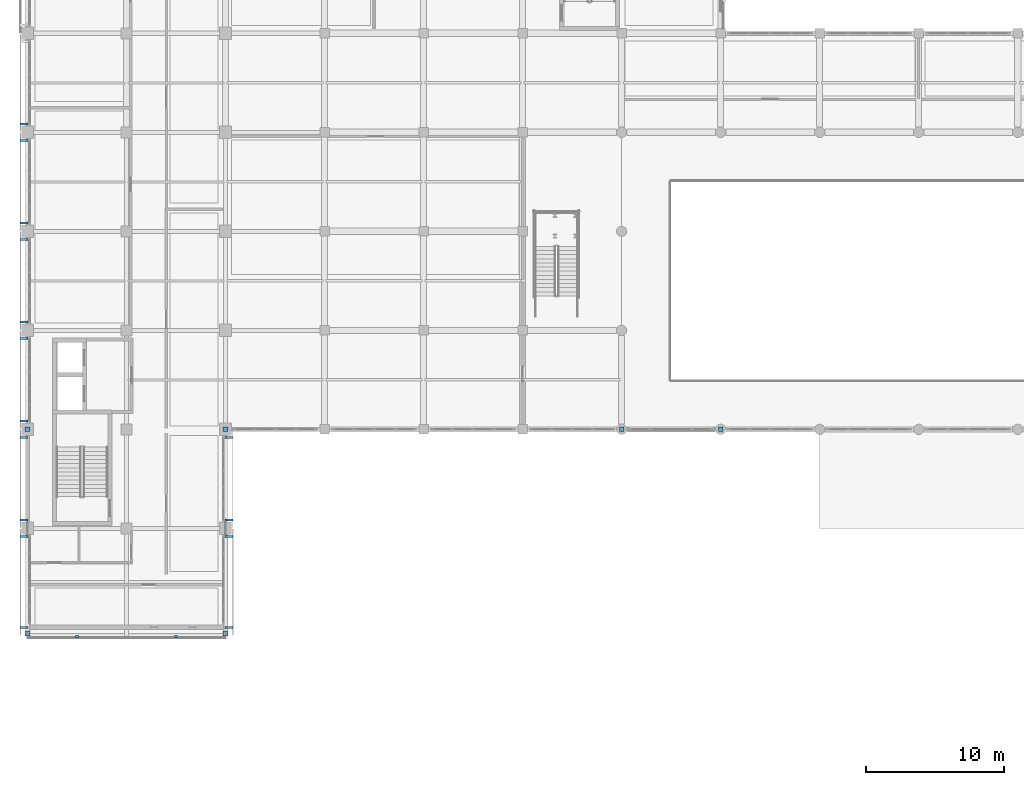
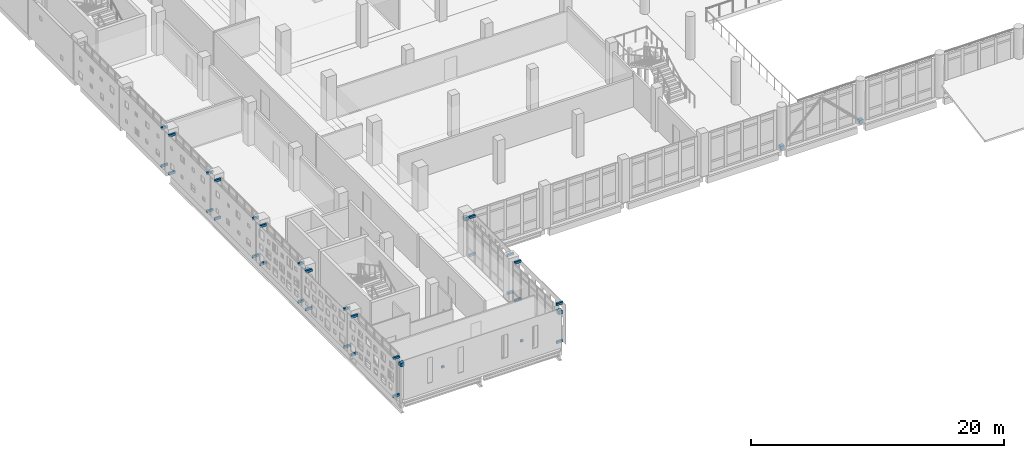
# One storey, part 43 of 57: 38 discrete accessories.
"""IFC4 building model written with IfcOpenShell, lengths in metres."""

from ifc_helpers import new_model, si_unit, direction, frame, origin, origin_2d, place, context, subcontext, project, spatial, rectangle, extrude, material, type_object, element, save


model = new_model("IFC4")

# Units and contexts
model_context = context("Model", 3, precision=1e-05, world=origin(), true_north=direction((0.0, 1.0)))
body_context = subcontext(model_context, "Body", "Model", "MODEL_VIEW")
ifc_project = project(units=[si_unit("LENGTHUNIT", "METRE"), si_unit("AREAUNIT", "SQUARE_METRE"), si_unit("VOLUMEUNIT", "CUBIC_METRE"), si_unit("PLANEANGLEUNIT", "RADIAN"), si_unit("MASSUNIT", "GRAM", prefix="KILO")], contexts=[model_context])

# Site, building, storey
site_placement = place(None, origin())
site = spatial("IfcSite", under=ifc_project, at=site_placement, CompositionType="ELEMENT")
building_placement = place(site_placement, origin())
building = spatial("IfcBuilding", under=site, at=building_placement, Name="Valkovuoma Quantum and Materials Research Institute", CompositionType="ELEMENT")
storey_placement = place(building_placement, frame((0.0, 0.0, 4.800048828125)))
storey = spatial("IfcBuildingStorey", under=building, at=storey_placement, Name="L01", CompositionType="ELEMENT", Elevation=4.800048828125)

# Discrete accessories
ifc_material_1 = material(Name="Steel S355J2", Category="steel")
discrete_accessory_type_1 = type_object("IfcDiscreteAccessoryType", Name="Brk-BRK-01", PredefinedType="BRACKET", material=ifc_material_1)
for number, where, z_axis, x_axis, name in (
    (1, (3.60009765625, 20.919921875, 1.81494140625), (0.0, 0.0, 1.0), (0.0, 1.0, 0.0), "L01 south end skin bracket 1"),
    (2, (10.800048828125, 20.919921875, 1.81494140625), (0.0, 0.0, 1.0), (0.0, 1.0, 0.0), "L01 south end skin bracket 2"),
):
    element("IfcDiscreteAccessory", number, at=place(storey_placement, frame(where, z_axis=z_axis, x_axis=x_axis)), inside=storey, type_object=discrete_accessory_type_1, Name=name, PredefinedType="BRACKET", context=body_context, shape_type="SweptSolid", body=[
        extrude(rectangle(XDim=0.159912109375, YDim=0.239990234375, at=origin_2d()), origin(), (0.0, 0.0, 1.0), 0.179931640625),
    ])
for number, where, z_axis, x_axis, name in (
    (3, (-0.25, 21.60009765625, -0.0302734375), (0.0, 0.0, 1.0), (1.0, 0.0, 0.0), "L01 screen bracket 00001"),
    (4, (-0.25, 28.199951171875, -0.0302734375), (0.0, 0.0, 1.0), (1.0, 0.0, 0.0), "L01 screen bracket 00002"),
    (5, (-0.25, 21.60009765625, 3.6201171875), (0.0, 0.0, 1.0), (1.0, 0.0, 0.0), "L01 screen bracket 00003"),
    (6, (-0.25, 28.199951171875, 3.6201171875), (0.0, 0.0, 1.0), (1.0, 0.0, 0.0), "L01 screen bracket 00004"),
    (7, (14.64990234375, 21.60009765625, -0.0302734375), (0.0, 0.0, 1.0), (1.0, 0.0, 0.0), "L01 screen bracket 00005"),
    (8, (14.64990234375, 28.199951171875, -0.0302734375), (0.0, 0.0, 1.0), (1.0, 0.0, 0.0), "L01 screen bracket 00006"),
    (9, (14.64990234375, 21.60009765625, 3.6201171875), (0.0, 0.0, 1.0), (1.0, 0.0, 0.0), "L01 screen bracket 00007"),
    (10, (14.64990234375, 28.199951171875, 3.6201171875), (0.0, 0.0, 1.0), (1.0, 0.0, 0.0), "L01 screen bracket 00008"),
    (11, (-0.25, 29.39990234375, -0.0302734375), (0.0, 0.0, 1.0), (1.0, 0.0, 0.0), "L01 screen bracket 00009"),
    (12, (-0.25, 35.39990234375, -0.0302734375), (0.0, 0.0, 1.0), (1.0, 0.0, 0.0), "L01 screen bracket 00010"),
    (13, (-0.25, 29.39990234375, 3.6201171875), (0.0, 0.0, 1.0), (1.0, 0.0, 0.0), "L01 screen bracket 00011"),
    (14, (-0.25, 35.39990234375, 3.6201171875), (0.0, 0.0, 1.0), (1.0, 0.0, 0.0), "L01 screen bracket 00012"),
    (15, (14.64990234375, 29.39990234375, -0.0302734375), (0.0, 0.0, 1.0), (1.0, 0.0, 0.0), "L01 screen bracket 00013"),
    (16, (14.64990234375, 35.39990234375, -0.0302734375), (0.0, 0.0, 1.0), (1.0, 0.0, 0.0), "L01 screen bracket 00014"),
    (17, (14.64990234375, 29.39990234375, 3.6201171875), (0.0, 0.0, 1.0), (1.0, 0.0, 0.0), "L01 screen bracket 00015"),
    (18, (14.64990234375, 35.39990234375, 3.6201171875), (0.0, 0.0, 1.0), (1.0, 0.0, 0.0), "L01 screen bracket 00016"),
    (19, (-0.25, 36.60009765625, -0.0302734375), (0.0, 0.0, 1.0), (1.0, 0.0, 0.0), "L01 screen bracket 00017"),
    (20, (-0.25, 42.60009765625, -0.0302734375), (0.0, 0.0, 1.0), (1.0, 0.0, 0.0), "L01 screen bracket 00018"),
    (21, (-0.25, 36.60009765625, 3.6201171875), (0.0, 0.0, 1.0), (1.0, 0.0, 0.0), "L01 screen bracket 00019"),
    (22, (-0.25, 42.60009765625, 3.6201171875), (0.0, 0.0, 1.0), (1.0, 0.0, 0.0), "L01 screen bracket 00020"),
    (23, (-0.25, 43.800048828125, -0.0302734375), (0.0, 0.0, 1.0), (1.0, 0.0, 0.0), "L01 screen bracket 00021"),
    (24, (-0.25, 49.800048828125, -0.0302734375), (0.0, 0.0, 1.0), (1.0, 0.0, 0.0), "L01 screen bracket 00022"),
    (25, (-0.25, 43.800048828125, 3.6201171875), (0.0, 0.0, 1.0), (1.0, 0.0, 0.0), "L01 screen bracket 00023"),
    (26, (-0.25, 49.800048828125, 3.6201171875), (0.0, 0.0, 1.0), (1.0, 0.0, 0.0), "L01 screen bracket 00024"),
    (27, (-0.25, 51.0, -0.0302734375), (0.0, 0.0, 1.0), (1.0, 0.0, 0.0), "L01 screen bracket 00025"),
    (28, (-0.25, 57.0, -0.0302734375), (0.0, 0.0, 1.0), (1.0, 0.0, 0.0), "L01 screen bracket 00026"),
    (29, (-0.25, 51.0, 3.6201171875), (0.0, 0.0, 1.0), (1.0, 0.0, 0.0), "L01 screen bracket 00027"),
    (30, (-0.25, 57.0, 3.6201171875), (0.0, 0.0, 1.0), (1.0, 0.0, 0.0), "L01 screen bracket 00028"),
    (31, (-0.25, 58.199951171875, -0.0302734375), (0.0, 0.0, 1.0), (1.0, 0.0, 0.0), "L01 screen bracket 00029"),
    (32, (-0.25, 58.199951171875, 3.6201171875), (0.0, 0.0, 1.0), (1.0, 0.0, 0.0), "L01 screen bracket 00031"),
):
    element("IfcDiscreteAccessory", number, at=place(storey_placement, frame(where, z_axis=z_axis, x_axis=x_axis)), inside=storey, type_object=discrete_accessory_type_1, Name=name, PredefinedType="BRACKET", context=body_context, shape_type="SweptSolid", body=[
        extrude(rectangle(XDim=0.580078125, YDim=0.159912109375, at=origin_2d()), origin(), (0.0, 0.0, 1.0), 0.219970703125),
    ])
ifc_material_2 = material(Name="Steel S355J2", Category="steel")
discrete_accessory_type_2 = type_object("IfcDiscreteAccessoryType", Name="Conn-END-01", PredefinedType="BRACKET", material=ifc_material_2)
for number, where, z_axis, x_axis, name in (
    (33, (0.0, 21.14990234375, 3.14013671875), (0.0, 0.0, 1.0), (1.0, 0.0, 0.0), "L01 brace end connection assembly 0007"),
    (34, (0.0, 36.0, 3.14013671875), (0.0, 0.0, 1.0), (1.0, 0.0, 0.0), "L01 brace end connection assembly 0008"),
    (35, (14.39990234375, 21.14990234375, 3.14013671875), (0.0, 0.0, 1.0), (1.0, 0.0, 0.0), "L01 brace end connection assembly 0009"),
    (36, (14.39990234375, 36.0, 3.14013671875), (0.0, 0.0, 1.0), (1.0, 0.0, 0.0), "L01 brace end connection assembly 0010"),
    (37, (43.199951171875, 36.0, -0.0703125), (0.0, 0.0, 1.0), (1.0, 0.0, 0.0), "L01 brace end connection assembly 0284"),
    (38, (50.39990234375, 36.0, -0.0703125), (0.0, 0.0, 1.0), (1.0, 0.0, 0.0), "L01 brace end connection assembly 0285"),
):
    element("IfcDiscreteAccessory", number, at=place(storey_placement, frame(where, z_axis=z_axis, x_axis=x_axis)), inside=storey, type_object=discrete_accessory_type_2, Name=name, PredefinedType="BRACKET", context=body_context, shape_type="SweptSolid", body=[
        extrude(rectangle(XDim=0.340087890625, YDim=0.340087890625, at=origin_2d()), origin(), (0.0, 0.0, 1.0), 0.340087890625),
    ])

save(model, "model.ifc")
